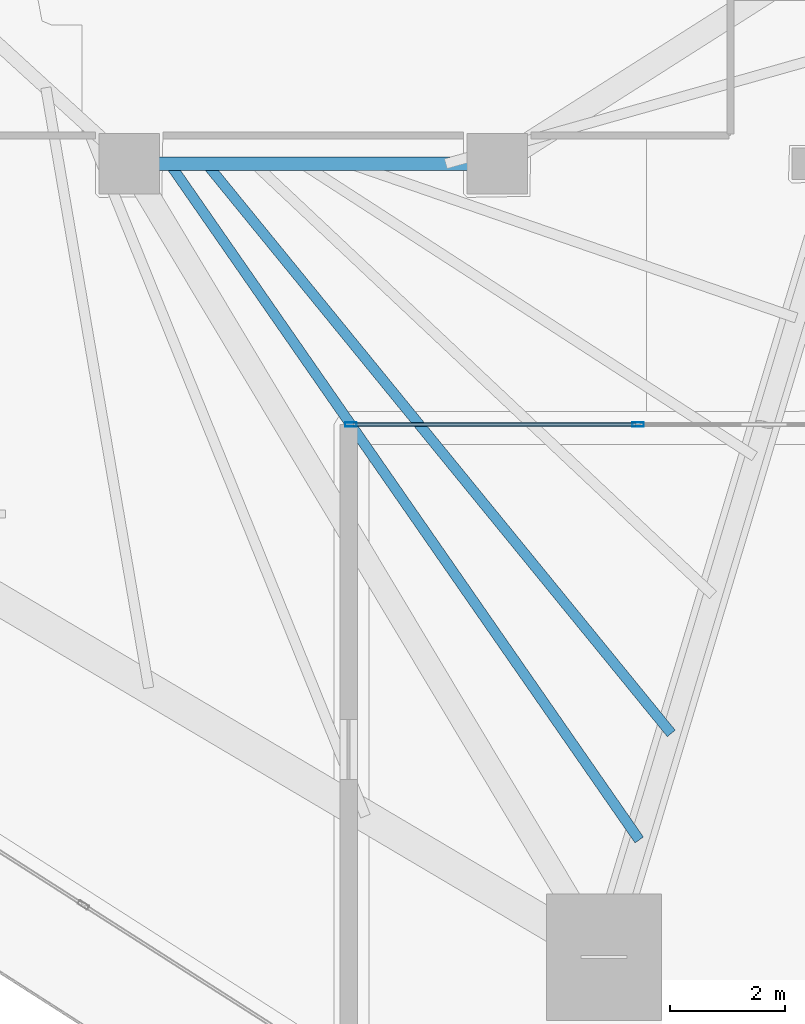
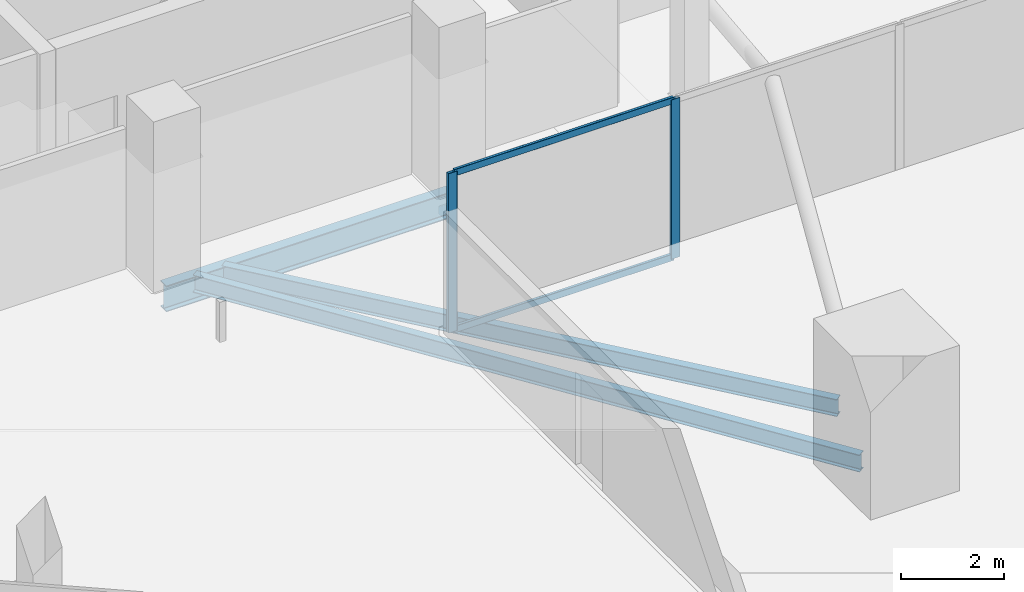
# One storey, part 9 of 39: 4 members, 3 beams, 1 element without a shape of its own.
"""IFC4 building model written with IfcOpenShell, lengths in metres."""

from ifc_helpers import new_model, si_unit, direction, frame, origin, origin_2d, place, context, subcontext, project, spatial, hollow_rectangle, i_section, extrude, material, layer, layer_set, material_profile, profile_set, type_object, element, aggregate, save


model = new_model("IFC4")

# Units and contexts
model_context = context("Model", 3, precision=1e-05, world=origin(), true_north=direction((0.0, 1.0)))
body_context = subcontext(model_context, "Body", "Model", "MODEL_VIEW")
ifc_project = project(units=[si_unit("LENGTHUNIT", "METRE"), si_unit("AREAUNIT", "SQUARE_METRE"), si_unit("VOLUMEUNIT", "CUBIC_METRE"), si_unit("PLANEANGLEUNIT", "RADIAN"), si_unit("MASSUNIT", "GRAM", prefix="KILO")], contexts=[model_context])

# Site, building, storey
site_placement = place(None, origin())
site = spatial("IfcSite", under=ifc_project, at=site_placement, CompositionType="ELEMENT")
building_placement = place(site_placement, origin())
building = spatial("IfcBuilding", under=site, at=building_placement, Name="Qorvath Tower", CompositionType="ELEMENT")
storey_placement = place(building_placement, frame((0.0, 0.0, 154.35009765625)))
storey = spatial("IfcBuildingStorey", under=building, at=storey_placement, Name="L35", CompositionType="ELEMENT", Elevation=154.35009765625)

# Beams
ifc_material_1 = material(Name="Steel ASTM A992 Grade 50", Category="steel")
ifc_material_profile_1 = material_profile(ifc_material_1, i_section(OverallWidth=0.22998046875, OverallDepth=0.616943359375, WebThickness=0.01318359375, FlangeThickness=0.022216796875, FilletRadius=0.014892578125, at=origin_2d()), Name="W24x94")
ifc_profile_set_1 = profile_set([ifc_material_profile_1], Name="Steel ASTM A992 Grade 50")
beam_type_1 = type_object("IfcBeamType", Name="BM-FG6", PredefinedType="BEAM", material=ifc_profile_set_1)
beam_1_placement = place(storey_placement, frame((-17.199951171875, -11.449951171875, -0.57861328125), z_axis=(-1.0, 0.0, 0.0), x_axis=(0.0, -1.0, 0.0)))
element("IfcBeam", 1, at=beam_1_placement, inside=storey, type_object=beam_type_1, Name="Core Ring Girder CC3-CC4 L35", PredefinedType="BEAM", context=body_context, shape_type="SweptSolid", body=[
    extrude(i_section(OverallWidth=0.22998046875, OverallDepth=0.616943359375, WebThickness=0.01318359375, FlangeThickness=0.022216796875, FilletRadius=0.014892578125, at=origin_2d()), origin(), (0.0, 0.0, 1.0), 6.400146484375),
])
ifc_material_2 = material(Name="Steel ASTM A992 Grade 50", Category="steel")
ifc_material_profile_2 = material_profile(ifc_material_2, i_section(OverallWidth=0.177978515625, OverallDepth=0.406005859375, WebThickness=0.0078125, FlangeThickness=0.0126953125, FilletRadius=0.010986328125, at=origin_2d()), Name="W16x40")
ifc_profile_set_2 = profile_set([ifc_material_profile_2], Name="Steel ASTM A992 Grade 50")
beam_type_2 = type_object("IfcBeamType", Name="BM-FJ3", PredefinedType="JOIST", material=ifc_profile_set_2)
beam_2_placement = place(storey_placement, frame((-22.256103515625, -11.449951171875, -0.472900390625), z_axis=(0.632187975212, -0.774815051478, 0.0), x_axis=(0.774815051478, 0.632187975212, 0.0)))
element("IfcBeam", 2, at=beam_2_placement, inside=storey, type_object=beam_type_2, Name="Composite Floor Joist SE6 L35", PredefinedType="JOIST", context=body_context, shape_type="SweptSolid", body=[
    extrude(i_section(OverallWidth=0.177978515625, OverallDepth=0.406005859375, WebThickness=0.0078125, FlangeThickness=0.0126953125, FilletRadius=0.010986328125, at=origin_2d()), origin(), (0.0, 0.0, 1.0), 12.784912109375),
])
beam_3_placement = place(storey_placement, frame((-22.89599609375, -11.449951171875, -0.472900390625), z_axis=(0.570366725248, -0.821390162304, 0.0), x_axis=(0.821390162304, 0.570366725248, 0.0)))
element("IfcBeam", 3, at=beam_3_placement, inside=storey, type_object=beam_type_2, Name="Composite Floor Joist SE7 L35", PredefinedType="JOIST", context=body_context, shape_type="SweptSolid", body=[
    extrude(i_section(OverallWidth=0.177978515625, OverallDepth=0.406005859375, WebThickness=0.0078125, FlangeThickness=0.0126953125, FilletRadius=0.010986328125, at=origin_2d()), origin(), (0.0, 0.0, 1.0), 14.3154296875),
])

# Curtain wall, members
ifc_material_3 = material(Name="Anodised aluminium and triple low-E glass", Category="aluminium")
ifc_layer = layer(ifc_material_3, 0.179931640625)
ifc_layer_set = layer_set([ifc_layer], Name="CW-SYS-5")
curtain_wall_type = type_object("IfcCurtainWallType", Name="CW-SYS-5", PredefinedType="NOTDEFINED", material=ifc_layer_set)
curtain_wall_placement = place(storey_placement, origin())
curtain_wall = element("IfcCurtainWall", 4, at=curtain_wall_placement, inside=storey, type_object=curtain_wall_type, Name="Curtain Wall CW-5 CW-T-L35-2.1", PredefinedType="NOTDEFINED")
ifc_material_4 = material(Name="Anodised aluminium 6063-T6", Category="aluminium")
ifc_material_profile_3 = material_profile(ifc_material_4, hollow_rectangle(XDim=0.074951171875, YDim=0.199951171875, WallThickness=0.00390625, InnerFilletRadius=0.00390625, OuterFilletRadius=0.008056640625, at=origin_2d()), Name="CWM 200x75")
ifc_profile_set_3 = profile_set([ifc_material_profile_3], Name="Anodised aluminium 6063-T6")
member_type_1 = type_object("IfcMemberType", Name="CWM-200", PredefinedType="MULLION", material=ifc_profile_set_3)
member_1_placement = place(storey_placement, frame((-19.746337890625, -15.98388671875, 0.0), z_axis=(0.0, 0.0, 1.0), x_axis=(0.0, 1.0, 0.0)))
member_1 = element("IfcMember", 5, at=member_1_placement, type_object=member_type_1, Name="CW-5 mullion 1", PredefinedType="MULLION", context=body_context, shape_type="SweptSolid", body=[
    extrude(hollow_rectangle(XDim=0.074951171875, YDim=0.199951171875, WallThickness=0.00390625, InnerFilletRadius=0.00390625, OuterFilletRadius=0.008056640625, at=origin_2d()), origin(), (0.0, 0.0, 1.0), 3.77978515625),
])
member_2_placement = place(storey_placement, frame((-14.751953125, -15.98388671875, 0.0), z_axis=(0.0, 0.0, 1.0), x_axis=(0.0, 1.0, 0.0)))
member_2 = element("IfcMember", 6, at=member_2_placement, type_object=member_type_1, Name="CW-5 mullion 2", PredefinedType="MULLION", context=body_context, shape_type="SweptSolid", body=[
    extrude(hollow_rectangle(XDim=0.074951171875, YDim=0.199951171875, WallThickness=0.00390625, InnerFilletRadius=0.00390625, OuterFilletRadius=0.008056640625, at=origin_2d()), origin(), (0.0, 0.0, 1.0), 3.77978515625),
])
ifc_material_5 = material(Name="Anodised aluminium 6063-T6", Category="aluminium")
ifc_material_profile_4 = material_profile(ifc_material_5, hollow_rectangle(XDim=0.06494140625, YDim=0.159912109375, WallThickness=0.00341796875, InnerFilletRadius=0.00341796875, OuterFilletRadius=0.007080078125, at=origin_2d()), Name="CWT 160x65")
ifc_profile_set_4 = profile_set([ifc_material_profile_4], Name="Anodised aluminium 6063-T6")
member_type_2 = type_object("IfcMemberType", Name="CWT-160", PredefinedType="USERDEFINED", material=ifc_profile_set_4)
member_3_placement = place(storey_placement, frame((-19.708984375, -15.98388671875, 0.032470703125), z_axis=(1.0, 0.0, 0.0), x_axis=(0.0, 1.0, 0.0)))
member_3 = element("IfcMember", 7, at=member_3_placement, type_object=member_type_2, Name="CW-5 transom 1.1", ObjectType="TRANSOM", PredefinedType="USERDEFINED", context=body_context, shape_type="SweptSolid", body=[
    extrude(hollow_rectangle(XDim=0.06494140625, YDim=0.159912109375, WallThickness=0.00341796875, InnerFilletRadius=0.00341796875, OuterFilletRadius=0.007080078125, at=origin_2d()), origin(), (0.0, 0.0, 1.0), 4.91943359375),
])
member_4_placement = place(storey_placement, frame((-19.708984375, -15.98388671875, 3.747314453125), z_axis=(1.0, 0.0, 0.0), x_axis=(0.0, 1.0, 0.0)))
member_4 = element("IfcMember", 8, at=member_4_placement, type_object=member_type_2, Name="CW-5 transom 1.2", ObjectType="TRANSOM", PredefinedType="USERDEFINED", context=body_context, shape_type="SweptSolid", body=[
    extrude(hollow_rectangle(XDim=0.06494140625, YDim=0.159912109375, WallThickness=0.00341796875, InnerFilletRadius=0.00341796875, OuterFilletRadius=0.007080078125, at=origin_2d()), origin(), (0.0, 0.0, 1.0), 4.91943359375),
])
aggregate(curtain_wall, [member_1, member_2, member_3, member_4])

save(model, "model.ifc")
